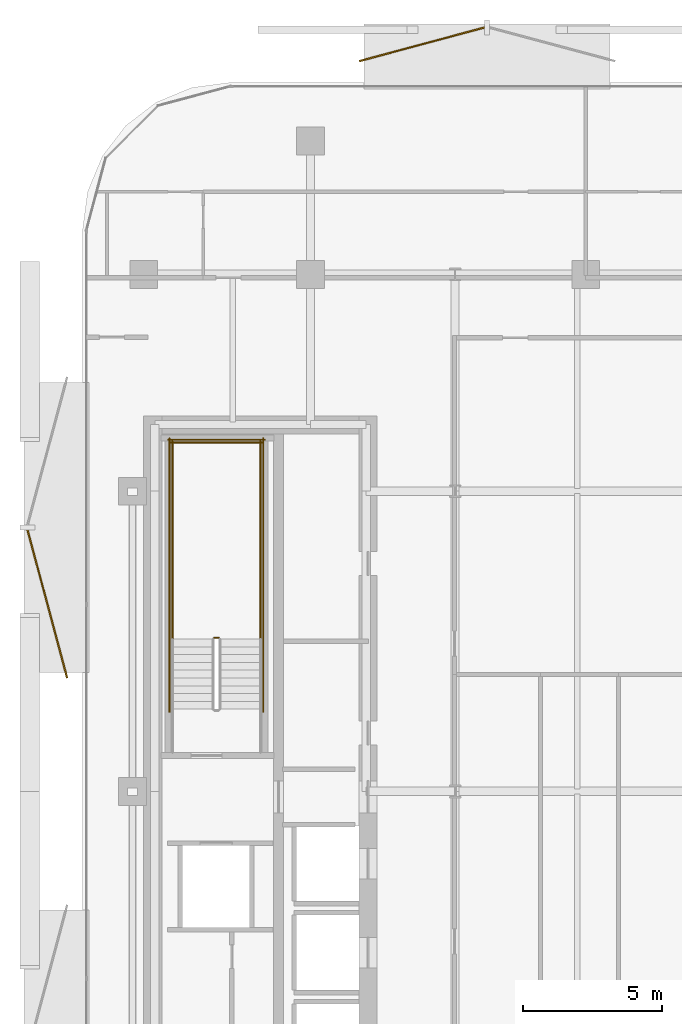
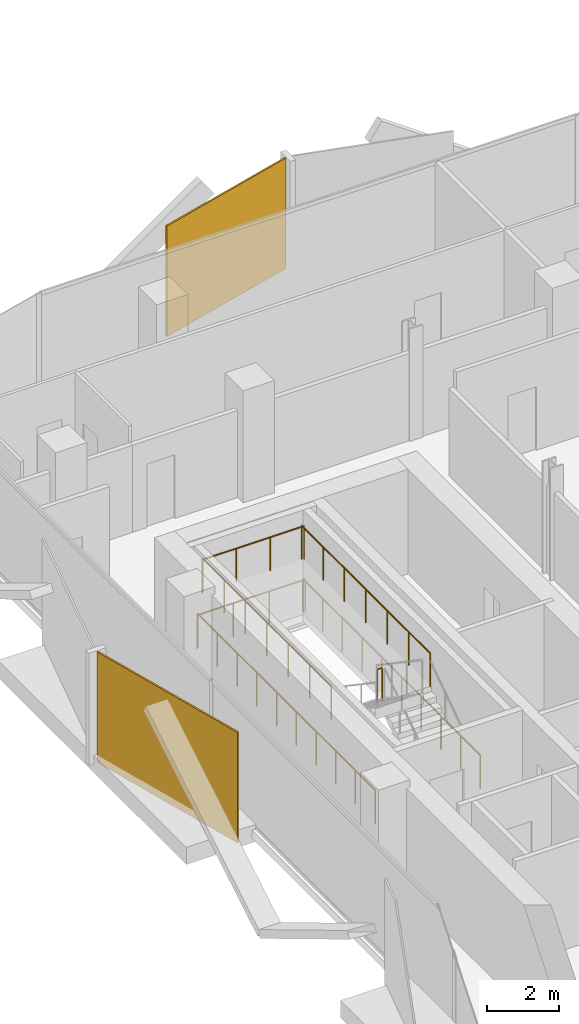
# One storey, part 15 of 16: 7 railings, 2 coverings.
"""IFC4 building model written with IfcOpenShell, lengths in metres."""

from ifc_helpers import new_model, si_unit, direction, frame, origin, origin_2d, place, context, subcontext, project, spatial, rectangle, circle, extrude, material, layer, layer_set, type_object, element, save


model = new_model("IFC4")

# Units and contexts
model_context = context("Model", 3, precision=1e-05, world=origin(), true_north=direction((0.0, 1.0)))
body_context = subcontext(model_context, "Body", "Model", "MODEL_VIEW")
ifc_project = project(units=[si_unit("LENGTHUNIT", "METRE"), si_unit("AREAUNIT", "SQUARE_METRE"), si_unit("VOLUMEUNIT", "CUBIC_METRE"), si_unit("PLANEANGLEUNIT", "RADIAN"), si_unit("MASSUNIT", "GRAM", prefix="KILO")], contexts=[model_context])

# Site, building, storey
site_placement = place(None, origin())
site = spatial("IfcSite", under=ifc_project, at=site_placement, CompositionType="ELEMENT")
building_placement = place(site_placement, origin())
building = spatial("IfcBuilding", under=site, at=building_placement, Name="Khairoan Windgate Tower", CompositionType="ELEMENT")
storey_placement = place(building_placement, frame((0.0, 0.0, 206.800048828125)))
storey = spatial("IfcBuildingStorey", under=building, at=storey_placement, Name="L48", CompositionType="ELEMENT", Elevation=206.800048828125)

# Coverings
ifc_material_1 = material(Name="Anodised Bronze Aluminium 6063-T6", Category="aluminium")
ifc_layer = layer(ifc_material_1, 0.054931640625, Name="Anodised Bronze Aluminium 6063-T6")
ifc_layer_set = layer_set([ifc_layer], Name="Anodised Bronze Aluminium 6063-T6")
covering_type = type_object("IfcCoveringType", Name="Perforated Bronze-Ceramic Folded Solar Screen Cladding BSC-1", PredefinedType="CLADDING", material=ifc_layer_set)
covering_1_placement = place(storey_placement, frame((-23.8671875, 6.74560546875, -0.10009765625), z_axis=(0.0, 0.0, 1.0), x_axis=(-0.258819045103, 0.965925826289, 0.0)))
element("IfcCovering", 1, at=covering_1_placement, inside=storey, type_object=covering_type, Name="L48 Folded Bronze Solar Screen Facet 324L", PredefinedType="CLADDING", context=body_context, shape_type="SweptSolid", body=[
    extrude(rectangle(XDim=5.507080078125, YDim=0.054931640625, at=origin_2d()), origin(), (0.0, 0.0, 1.0), 3.739990234375),
])
covering_2_placement = place(storey_placement, frame((-10.388916015625, 26.876220703125, -0.10009765625), z_axis=(0.0, 0.0, 1.0), x_axis=(0.965925826289, 0.258819045103, 0.0)))
element("IfcCovering", 2, at=covering_2_placement, inside=storey, type_object=covering_type, Name="L48 Folded Bronze Solar Screen Facet 325L", PredefinedType="CLADDING", context=body_context, shape_type="SweptSolid", body=[
    extrude(rectangle(XDim=4.666015625, YDim=0.054931640625, at=origin_2d()), origin(), (0.0, 0.0, 1.0), 3.739990234375),
])

# Railings
ifc_material_2 = material(Name="Steel S355", Category="steel")
railing_type = type_object("IfcRailingType", Name="Stairwell Safety Guardrail SGR-1150", PredefinedType="GUARDRAIL", material=ifc_material_2)
railing_1_placement = place(storey_placement, frame((-17.7099609375, 5.530029296875, 1.89990234375)))
element("IfcRailing", 3, at=railing_1_placement, inside=storey, type_object=railing_type, Name="L48 ST2 stair guard 2", PredefinedType="GUARDRAIL", context=body_context, shape_type="SweptSolid", body=[
    extrude(circle(Radius=0.02392578125, at=origin_2d()), frame((0.0, 0.0, 1.1259765625), z_axis=(-1.0, 0.0, 0.0), x_axis=(0.0, -1.0, 0.0)), (0.0, 0.0, 1.0), 0.150146484375),
    extrude(circle(Radius=0.02099609375, at=origin_2d()), origin(), (0.0, 0.0, 1.0), 1.101806640625),
    extrude(circle(Radius=0.02099609375, at=origin_2d()), frame((-0.150146484375, 0.0, 0.0)), (0.0, 0.0, 1.0), 1.101806640625),
])
for number, where, name in (
    (4, (-16.199951171875, 5.47998046875, 1.89990234375), "L48 ST2 stair guard 3"),
    (5, (-19.3701171875, 5.47998046875, 1.89990234375), "L48 ST2 stair guard 4"),
):
    element("IfcRailing", number, at=place(storey_placement, frame(where)), inside=storey, type_object=railing_type, Name=name, PredefinedType="GUARDRAIL", context=body_context, shape_type="SweptSolid", body=[
        extrude(circle(Radius=0.02392578125, at=origin_2d()), frame((0.0, 0.0, 1.1259765625), z_axis=(0.0, 1.0, 0.0), x_axis=(-1.0, 0.0, 0.0)), (0.0, 0.0, 1.0), 7.1201171875),
        extrude(circle(Radius=0.02099609375, at=origin_2d()), origin(), (0.0, 0.0, 1.0), 1.101806640625),
        extrude(circle(Radius=0.02099609375, at=origin_2d()), frame((0.0, 1.186767578125, 0.0)), (0.0, 0.0, 1.0), 1.101806640625),
        extrude(circle(Radius=0.02099609375, at=origin_2d()), frame((0.0, 2.373291015625, 0.0)), (0.0, 0.0, 1.0), 1.101806640625),
        extrude(circle(Radius=0.02099609375, at=origin_2d()), frame((0.0, 3.56005859375, 0.0)), (0.0, 0.0, 1.0), 1.101806640625),
        extrude(circle(Radius=0.02099609375, at=origin_2d()), frame((0.0, 4.746826171875, 0.0)), (0.0, 0.0, 1.0), 1.101806640625),
        extrude(circle(Radius=0.02099609375, at=origin_2d()), frame((0.0, 5.933349609375, 0.0)), (0.0, 0.0, 1.0), 1.101806640625),
        extrude(circle(Radius=0.02099609375, at=origin_2d()), frame((0.0, 7.1201171875, 0.0)), (0.0, 0.0, 1.0), 1.101806640625),
    ])
railing_2_placement = place(storey_placement, frame((-16.14990234375, 12.550048828125, 1.89990234375)))
element("IfcRailing", 6, at=railing_2_placement, inside=storey, type_object=railing_type, Name="L48 ST2 stair guard 5", PredefinedType="GUARDRAIL", context=body_context, shape_type="SweptSolid", body=[
    extrude(circle(Radius=0.02392578125, at=origin_2d()), frame((0.0, 0.0, 1.1259765625), z_axis=(-1.0, 0.0, 0.0), x_axis=(0.0, -1.0, 0.0)), (0.0, 0.0, 1.0), 3.27001953125),
    extrude(circle(Radius=0.02099609375, at=origin_2d()), origin(), (0.0, 0.0, 1.0), 1.101806640625),
    extrude(circle(Radius=0.02099609375, at=origin_2d()), frame((-1.090087890625, 0.0, 0.0)), (0.0, 0.0, 1.0), 1.101806640625),
    extrude(circle(Radius=0.02099609375, at=origin_2d()), frame((-2.179931640625, 0.0, 0.0)), (0.0, 0.0, 1.0), 1.101806640625),
    extrude(circle(Radius=0.02099609375, at=origin_2d()), frame((-3.27001953125, 0.0, 0.0)), (0.0, 0.0, 1.0), 1.101806640625),
])
for number, where, name in (
    (7, (-16.10009765625, 2.860107421875, 0.0), "L48 ST2 stair guard 10"),
    (8, (-19.469970703125, 2.860107421875, 0.0), "L48 ST2 stair guard 11"),
):
    element("IfcRailing", number, at=place(storey_placement, frame(where)), inside=storey, type_object=railing_type, Name=name, PredefinedType="GUARDRAIL", context=body_context, shape_type="SweptSolid", body=[
        extrude(circle(Radius=0.02392578125, at=origin_2d()), frame((0.0, 0.0, 1.1259765625), z_axis=(0.0, 1.0, 0.0), x_axis=(-1.0, 0.0, 0.0)), (0.0, 0.0, 1.0), 9.83984375),
        extrude(circle(Radius=0.02099609375, at=origin_2d()), origin(), (0.0, 0.0, 1.0), 1.101806640625),
        extrude(circle(Radius=0.02099609375, at=origin_2d()), frame((0.0, 1.09326171875, 0.0)), (0.0, 0.0, 1.0), 1.101806640625),
        extrude(circle(Radius=0.02099609375, at=origin_2d()), frame((0.0, 2.1865234375, 0.0)), (0.0, 0.0, 1.0), 1.101806640625),
        extrude(circle(Radius=0.02099609375, at=origin_2d()), frame((0.0, 3.280029296875, 0.0)), (0.0, 0.0, 1.0), 1.101806640625),
        extrude(circle(Radius=0.02099609375, at=origin_2d()), frame((0.0, 4.373291015625, 0.0)), (0.0, 0.0, 1.0), 1.101806640625),
        extrude(circle(Radius=0.02099609375, at=origin_2d()), frame((0.0, 5.466552734375, 0.0)), (0.0, 0.0, 1.0), 1.101806640625),
        extrude(circle(Radius=0.02099609375, at=origin_2d()), frame((0.0, 6.559814453125, 0.0)), (0.0, 0.0, 1.0), 1.101806640625),
        extrude(circle(Radius=0.02099609375, at=origin_2d()), frame((0.0, 7.6533203125, 0.0)), (0.0, 0.0, 1.0), 1.101806640625),
        extrude(circle(Radius=0.02099609375, at=origin_2d()), frame((0.0, 8.74658203125, 0.0)), (0.0, 0.0, 1.0), 1.101806640625),
        extrude(circle(Radius=0.02099609375, at=origin_2d()), frame((0.0, 9.83984375, 0.0)), (0.0, 0.0, 1.0), 1.101806640625),
    ])
railing_3_placement = place(storey_placement, frame((-16.050048828125, 12.64990234375, 0.0)))
element("IfcRailing", 9, at=railing_3_placement, inside=storey, type_object=railing_type, Name="L48 ST2 stair guard 12", PredefinedType="GUARDRAIL", context=body_context, shape_type="SweptSolid", body=[
    extrude(circle(Radius=0.02392578125, at=origin_2d()), frame((0.0, 0.0, 1.1259765625), z_axis=(-1.0, 0.0, 0.0), x_axis=(0.0, -1.0, 0.0)), (0.0, 0.0, 1.0), 3.469970703125),
    extrude(circle(Radius=0.02099609375, at=origin_2d()), origin(), (0.0, 0.0, 1.0), 1.101806640625),
    extrude(circle(Radius=0.02099609375, at=origin_2d()), frame((-1.15673828125, 0.0, 0.0)), (0.0, 0.0, 1.0), 1.101806640625),
    extrude(circle(Radius=0.02099609375, at=origin_2d()), frame((-2.313232421875, 0.0, 0.0)), (0.0, 0.0, 1.0), 1.101806640625),
    extrude(circle(Radius=0.02099609375, at=origin_2d()), frame((-3.469970703125, 0.0, 0.0)), (0.0, 0.0, 1.0), 1.101806640625),
])

save(model, "model.ifc")
